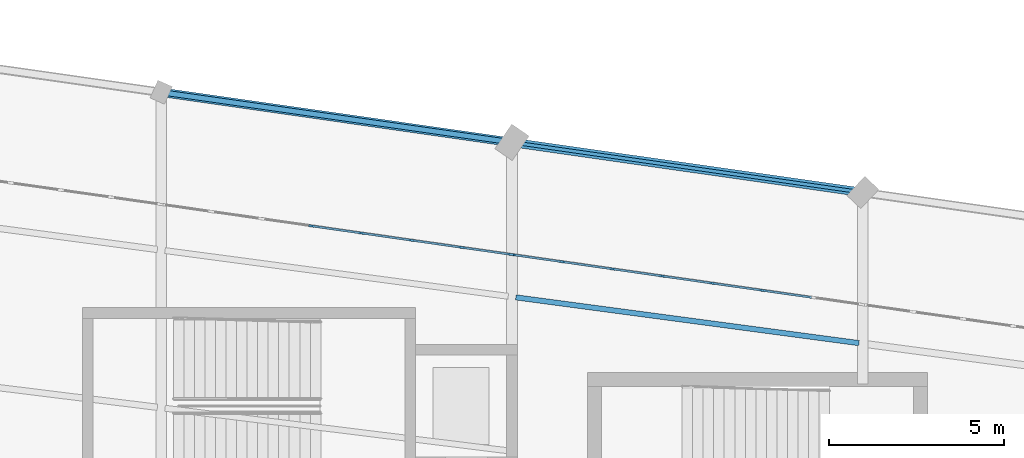
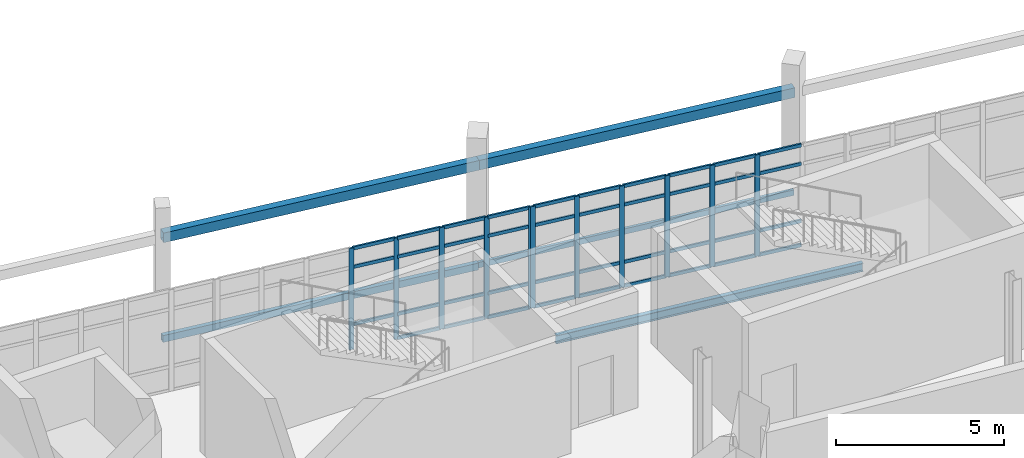
# One storey, part 61 of 122: 50 members, 5 beams, 2 elements without a shape of their own.
"""IFC4 building model written with IfcOpenShell, lengths in metres."""

from ifc_helpers import new_model, si_unit, direction, frame, origin, origin_2d, place, context, subcontext, project, spatial, rectangle, hollow_rectangle, i_section, extrude, material, layer, layer_set, material_profile, profile_set, type_object, element, aggregate, save


model = new_model("IFC4")

# Units and contexts
model_context = context("Model", 3, precision=1e-05, world=origin(), true_north=direction((0.0, 1.0)))
body_context = subcontext(model_context, "Body", "Model", "MODEL_VIEW")
ifc_project = project(units=[si_unit("LENGTHUNIT", "METRE"), si_unit("AREAUNIT", "SQUARE_METRE"), si_unit("VOLUMEUNIT", "CUBIC_METRE"), si_unit("PLANEANGLEUNIT", "RADIAN"), si_unit("MASSUNIT", "GRAM", prefix="KILO")], contexts=[model_context])

# Site, building, storey
site_placement = place(None, origin())
site = spatial("IfcSite", under=ifc_project, at=site_placement, CompositionType="ELEMENT")
building_placement = place(site_placement, origin())
building = spatial("IfcBuilding", under=site, at=building_placement, Name="Sohan Crest Arena", CompositionType="ELEMENT")
storey_placement = place(building_placement, origin())
storey = spatial("IfcBuildingStorey", under=building, at=storey_placement, Name="L00", CompositionType="ELEMENT", Elevation=0.0)

# Curtain wall, members
ifc_material_1 = material(Name="Thermally broken anodised aluminium", Category="aluminium")
ifc_layer = layer(ifc_material_1, 0.179931640625, Name="Thermally broken anodised aluminium")
ifc_layer_set = layer_set([ifc_layer], Name="Thermally broken anodised aluminium")
curtain_wall_type = type_object("IfcCurtainWallType", Name="ARC-CW01", PredefinedType="NOTDEFINED", material=ifc_layer_set)
curtain_wall_1_placement = place(storey_placement, origin())
curtain_wall_1 = element("IfcCurtainWall", 1, at=curtain_wall_1_placement, inside=storey, type_object=curtain_wall_type, Name="Unitised curtain wall CW-017", PredefinedType="NOTDEFINED")
ifc_material_profile_1 = material_profile(ifc_material_1, rectangle(XDim=0.06005859375, YDim=0.159912109375, at=origin_2d()), Name="ALU-MULL 60x160")
ifc_profile_set_1 = profile_set([ifc_material_profile_1], Name="Thermally broken anodised aluminium")
member_type_1 = type_object("IfcMemberType", Name="ARC-CW-ML01", PredefinedType="MULLION", material=ifc_profile_set_1)
member_1_placement = place(storey_placement, frame((135.142822265625, 117.493896484375, 0.0), z_axis=(0.0, 0.0, 1.0), x_axis=(-0.141365918403, -0.989957411768, 0.0)))
member_1 = element("IfcMember", 2, at=member_1_placement, type_object=member_type_1, Name="CW-017 mullion 3", PredefinedType="MULLION", context=body_context, shape_type="SweptSolid", body=[
    extrude(rectangle(XDim=0.06005859375, YDim=0.159912109375, at=origin_2d()), origin(), (0.0, 0.0, 1.0), 3.679931640625),
])
member_2_placement = place(storey_placement, frame((133.71435546875, 117.697998046875, 0.0), z_axis=(0.0, 0.0, 1.0), x_axis=(-0.141365918403, -0.989957411768, 0.0)))
member_2 = element("IfcMember", 3, at=member_2_placement, type_object=member_type_1, Name="CW-017 mullion 4", PredefinedType="MULLION", context=body_context, shape_type="SweptSolid", body=[
    extrude(rectangle(XDim=0.06005859375, YDim=0.159912109375, at=origin_2d()), origin(), (0.0, 0.0, 1.0), 3.679931640625),
])
member_3_placement = place(storey_placement, frame((132.28564453125, 117.902099609375, 0.0), z_axis=(0.0, 0.0, 1.0), x_axis=(-0.141365918403, -0.989957411768, 0.0)))
member_3 = element("IfcMember", 4, at=member_3_placement, type_object=member_type_1, Name="CW-017 mullion 5", PredefinedType="MULLION", context=body_context, shape_type="SweptSolid", body=[
    extrude(rectangle(XDim=0.06005859375, YDim=0.159912109375, at=origin_2d()), origin(), (0.0, 0.0, 1.0), 3.679931640625),
])
member_4_placement = place(storey_placement, frame((130.857177734375, 118.10595703125, 0.0), z_axis=(0.0, 0.0, 1.0), x_axis=(-0.141365918403, -0.989957411768, 0.0)))
member_4 = element("IfcMember", 5, at=member_4_placement, type_object=member_type_1, Name="CW-017 mullion 6", PredefinedType="MULLION", context=body_context, shape_type="SweptSolid", body=[
    extrude(rectangle(XDim=0.06005859375, YDim=0.159912109375, at=origin_2d()), origin(), (0.0, 0.0, 1.0), 3.679931640625),
])
member_5_placement = place(storey_placement, frame((129.428466796875, 118.31005859375, 0.0), z_axis=(0.0, 0.0, 1.0), x_axis=(-0.141365918403, -0.989957411768, 0.0)))
member_5 = element("IfcMember", 6, at=member_5_placement, type_object=member_type_1, Name="CW-017 mullion 7", PredefinedType="MULLION", context=body_context, shape_type="SweptSolid", body=[
    extrude(rectangle(XDim=0.06005859375, YDim=0.159912109375, at=origin_2d()), origin(), (0.0, 0.0, 1.0), 3.679931640625),
])
member_6_placement = place(storey_placement, frame((128.02978515625, 118.509765625, 0.0), z_axis=(0.0, 0.0, 1.0), x_axis=(-0.141365918403, -0.989957411768, 0.0)))
member_6 = element("IfcMember", 7, at=member_6_placement, type_object=member_type_1, Name="CW-017 mullion 8", PredefinedType="MULLION", context=body_context, shape_type="SweptSolid", body=[
    extrude(rectangle(XDim=0.06005859375, YDim=0.159912109375, at=origin_2d()), origin(), (0.0, 0.0, 1.0), 3.679931640625),
])

curtain_wall_2_placement = place(storey_placement, origin())
curtain_wall_2 = element("IfcCurtainWall", 8, at=curtain_wall_2_placement, inside=storey, type_object=curtain_wall_type, Name="Unitised curtain wall CW-018", PredefinedType="NOTDEFINED")
member_7_placement = place(storey_placement, frame((127.97021484375, 118.518310546875, 0.0), z_axis=(0.0, 0.0, 1.0), x_axis=(-0.141462933734, -0.989943553128, 0.0)))
member_7 = element("IfcMember", 9, at=member_7_placement, type_object=member_type_1, Name="CW-018 mullion 1", PredefinedType="MULLION", context=body_context, shape_type="SweptSolid", body=[
    extrude(rectangle(XDim=0.06005859375, YDim=0.159912109375, at=origin_2d()), origin(), (0.0, 0.0, 1.0), 3.679931640625),
])
member_8_placement = place(storey_placement, frame((126.571533203125, 118.71826171875, 0.0), z_axis=(0.0, 0.0, 1.0), x_axis=(-0.141462933734, -0.989943553128, 0.0)))
member_8 = element("IfcMember", 10, at=member_8_placement, type_object=member_type_1, Name="CW-018 mullion 2", PredefinedType="MULLION", context=body_context, shape_type="SweptSolid", body=[
    extrude(rectangle(XDim=0.06005859375, YDim=0.159912109375, at=origin_2d()), origin(), (0.0, 0.0, 1.0), 3.679931640625),
])
member_9_placement = place(storey_placement, frame((125.142822265625, 118.92236328125, 0.0), z_axis=(0.0, 0.0, 1.0), x_axis=(-0.141462933734, -0.989943553128, 0.0)))
member_9 = element("IfcMember", 11, at=member_9_placement, type_object=member_type_1, Name="CW-018 mullion 3", PredefinedType="MULLION", context=body_context, shape_type="SweptSolid", body=[
    extrude(rectangle(XDim=0.06005859375, YDim=0.159912109375, at=origin_2d()), origin(), (0.0, 0.0, 1.0), 3.679931640625),
])
member_10_placement = place(storey_placement, frame((123.71435546875, 119.12646484375, 0.0), z_axis=(0.0, 0.0, 1.0), x_axis=(-0.141462933734, -0.989943553128, 0.0)))
member_10 = element("IfcMember", 12, at=member_10_placement, type_object=member_type_1, Name="CW-018 mullion 4", PredefinedType="MULLION", context=body_context, shape_type="SweptSolid", body=[
    extrude(rectangle(XDim=0.06005859375, YDim=0.159912109375, at=origin_2d()), origin(), (0.0, 0.0, 1.0), 3.679931640625),
])
member_11_placement = place(storey_placement, frame((122.28564453125, 119.33056640625, 0.0), z_axis=(0.0, 0.0, 1.0), x_axis=(-0.141462933734, -0.989943553128, 0.0)))
member_11 = element("IfcMember", 13, at=member_11_placement, type_object=member_type_1, Name="CW-018 mullion 5", PredefinedType="MULLION", context=body_context, shape_type="SweptSolid", body=[
    extrude(rectangle(XDim=0.06005859375, YDim=0.159912109375, at=origin_2d()), origin(), (0.0, 0.0, 1.0), 3.679931640625),
])

# Member
ifc_material_profile_2 = material_profile(ifc_material_1, rectangle(XDim=0.06005859375, YDim=0.1201171875, at=origin_2d()), Name="ALU-TRAN 60x120")
ifc_profile_set_2 = profile_set([ifc_material_profile_2], Name="Thermally broken anodised aluminium")
member_type_2 = type_object("IfcMemberType", Name="ARC-CW-TR01", PredefinedType="USERDEFINED", material=ifc_profile_set_2)
member_12_placement = place(storey_placement, frame((136.541748046875, 117.294189453125, 0.030029296875), z_axis=(-0.989953023856, 0.141396642673, 0.0), x_axis=(-0.141396642673, -0.989953023856, 0.0)))
member_12 = element("IfcMember", 14, at=member_12_placement, type_object=member_type_2, Name="CW-017 transom 2.1", ObjectType="TRANSOM", PredefinedType="USERDEFINED", context=body_context, shape_type="SweptSolid", body=[
    extrude(rectangle(XDim=0.06005859375, YDim=0.1201171875, at=origin_2d()), origin(), (0.0, 0.0, 1.0), 1.383056640625),
])

member_13_placement = place(storey_placement, frame((136.541748046875, 117.294189453125, 0.89990234375), z_axis=(-0.989953023856, 0.141396642673, 0.0), x_axis=(-0.141396642673, -0.989953023856, 0.0)))
member_13 = element("IfcMember", 15, at=member_13_placement, type_object=member_type_2, Name="CW-017 transom 2.2", ObjectType="TRANSOM", PredefinedType="USERDEFINED", context=body_context, shape_type="SweptSolid", body=[
    extrude(rectangle(XDim=0.06005859375, YDim=0.1201171875, at=origin_2d()), origin(), (0.0, 0.0, 1.0), 1.383056640625),
])

member_14_placement = place(storey_placement, frame((136.541748046875, 117.294189453125, 2.97998046875), z_axis=(-0.989953023856, 0.141396642673, 0.0), x_axis=(-0.141396642673, -0.989953023856, 0.0)))
member_14 = element("IfcMember", 16, at=member_14_placement, type_object=member_type_2, Name="CW-017 transom 2.3", ObjectType="TRANSOM", PredefinedType="USERDEFINED", context=body_context, shape_type="SweptSolid", body=[
    extrude(rectangle(XDim=0.06005859375, YDim=0.1201171875, at=origin_2d()), origin(), (0.0, 0.0, 1.0), 1.383056640625),
])

member_15_placement = place(storey_placement, frame((136.541748046875, 117.294189453125, 3.64990234375), z_axis=(-0.989953023856, 0.141396642673, 0.0), x_axis=(-0.141396642673, -0.989953023856, 0.0)))
member_15 = element("IfcMember", 17, at=member_15_placement, type_object=member_type_2, Name="CW-017 transom 2.4", ObjectType="TRANSOM", PredefinedType="USERDEFINED", context=body_context, shape_type="SweptSolid", body=[
    extrude(rectangle(XDim=0.06005859375, YDim=0.1201171875, at=origin_2d()), origin(), (0.0, 0.0, 1.0), 1.383056640625),
])

member_16_placement = place(storey_placement, frame((135.113037109375, 117.498291015625, 0.030029296875), z_axis=(-0.989953023856, 0.141396642673, 0.0), x_axis=(-0.141396642673, -0.989953023856, 0.0)))
member_16 = element("IfcMember", 18, at=member_16_placement, type_object=member_type_2, Name="CW-017 transom 3.1", ObjectType="TRANSOM", PredefinedType="USERDEFINED", context=body_context, shape_type="SweptSolid", body=[
    extrude(rectangle(XDim=0.06005859375, YDim=0.1201171875, at=origin_2d()), origin(), (0.0, 0.0, 1.0), 1.383056640625),
])

member_17_placement = place(storey_placement, frame((135.113037109375, 117.498291015625, 0.89990234375), z_axis=(-0.989953023856, 0.141396642673, 0.0), x_axis=(-0.141396642673, -0.989953023856, 0.0)))
member_17 = element("IfcMember", 19, at=member_17_placement, type_object=member_type_2, Name="CW-017 transom 3.2", ObjectType="TRANSOM", PredefinedType="USERDEFINED", context=body_context, shape_type="SweptSolid", body=[
    extrude(rectangle(XDim=0.06005859375, YDim=0.1201171875, at=origin_2d()), origin(), (0.0, 0.0, 1.0), 1.383056640625),
])

member_18_placement = place(storey_placement, frame((135.113037109375, 117.498291015625, 2.97998046875), z_axis=(-0.989953023856, 0.141396642673, 0.0), x_axis=(-0.141396642673, -0.989953023856, 0.0)))
member_18 = element("IfcMember", 20, at=member_18_placement, type_object=member_type_2, Name="CW-017 transom 3.3", ObjectType="TRANSOM", PredefinedType="USERDEFINED", context=body_context, shape_type="SweptSolid", body=[
    extrude(rectangle(XDim=0.06005859375, YDim=0.1201171875, at=origin_2d()), origin(), (0.0, 0.0, 1.0), 1.383056640625),
])

member_19_placement = place(storey_placement, frame((135.113037109375, 117.498291015625, 3.64990234375), z_axis=(-0.989953023856, 0.141396642673, 0.0), x_axis=(-0.141396642673, -0.989953023856, 0.0)))
member_19 = element("IfcMember", 21, at=member_19_placement, type_object=member_type_2, Name="CW-017 transom 3.4", ObjectType="TRANSOM", PredefinedType="USERDEFINED", context=body_context, shape_type="SweptSolid", body=[
    extrude(rectangle(XDim=0.06005859375, YDim=0.1201171875, at=origin_2d()), origin(), (0.0, 0.0, 1.0), 1.383056640625),
])

member_20_placement = place(storey_placement, frame((133.6845703125, 117.7021484375, 0.030029296875), z_axis=(-0.989953023856, 0.141396642673, 0.0), x_axis=(-0.141396642673, -0.989953023856, 0.0)))
member_20 = element("IfcMember", 22, at=member_20_placement, type_object=member_type_2, Name="CW-017 transom 4.1", ObjectType="TRANSOM", PredefinedType="USERDEFINED", context=body_context, shape_type="SweptSolid", body=[
    extrude(rectangle(XDim=0.06005859375, YDim=0.1201171875, at=origin_2d()), origin(), (0.0, 0.0, 1.0), 1.383056640625),
])

member_21_placement = place(storey_placement, frame((133.6845703125, 117.7021484375, 0.89990234375), z_axis=(-0.989953023856, 0.141396642673, 0.0), x_axis=(-0.141396642673, -0.989953023856, 0.0)))
member_21 = element("IfcMember", 23, at=member_21_placement, type_object=member_type_2, Name="CW-017 transom 4.2", ObjectType="TRANSOM", PredefinedType="USERDEFINED", context=body_context, shape_type="SweptSolid", body=[
    extrude(rectangle(XDim=0.06005859375, YDim=0.1201171875, at=origin_2d()), origin(), (0.0, 0.0, 1.0), 1.383056640625),
])

member_22_placement = place(storey_placement, frame((133.6845703125, 117.7021484375, 2.97998046875), z_axis=(-0.989953023856, 0.141396642673, 0.0), x_axis=(-0.141396642673, -0.989953023856, 0.0)))
member_22 = element("IfcMember", 24, at=member_22_placement, type_object=member_type_2, Name="CW-017 transom 4.3", ObjectType="TRANSOM", PredefinedType="USERDEFINED", context=body_context, shape_type="SweptSolid", body=[
    extrude(rectangle(XDim=0.06005859375, YDim=0.1201171875, at=origin_2d()), origin(), (0.0, 0.0, 1.0), 1.383056640625),
])

member_23_placement = place(storey_placement, frame((133.6845703125, 117.7021484375, 3.64990234375), z_axis=(-0.989953023856, 0.141396642673, 0.0), x_axis=(-0.141396642673, -0.989953023856, 0.0)))
member_23 = element("IfcMember", 25, at=member_23_placement, type_object=member_type_2, Name="CW-017 transom 4.4", ObjectType="TRANSOM", PredefinedType="USERDEFINED", context=body_context, shape_type="SweptSolid", body=[
    extrude(rectangle(XDim=0.06005859375, YDim=0.1201171875, at=origin_2d()), origin(), (0.0, 0.0, 1.0), 1.383056640625),
])

member_24_placement = place(storey_placement, frame((132.256103515625, 117.90625, 0.030029296875), z_axis=(-0.989953023856, 0.141396642673, 0.0), x_axis=(-0.141396642673, -0.989953023856, 0.0)))
member_24 = element("IfcMember", 26, at=member_24_placement, type_object=member_type_2, Name="CW-017 transom 5.1", ObjectType="TRANSOM", PredefinedType="USERDEFINED", context=body_context, shape_type="SweptSolid", body=[
    extrude(rectangle(XDim=0.06005859375, YDim=0.1201171875, at=origin_2d()), origin(), (0.0, 0.0, 1.0), 1.383056640625),
])

member_25_placement = place(storey_placement, frame((132.256103515625, 117.90625, 0.89990234375), z_axis=(-0.989953023856, 0.141396642673, 0.0), x_axis=(-0.141396642673, -0.989953023856, 0.0)))
member_25 = element("IfcMember", 27, at=member_25_placement, type_object=member_type_2, Name="CW-017 transom 5.2", ObjectType="TRANSOM", PredefinedType="USERDEFINED", context=body_context, shape_type="SweptSolid", body=[
    extrude(rectangle(XDim=0.06005859375, YDim=0.1201171875, at=origin_2d()), origin(), (0.0, 0.0, 1.0), 1.383056640625),
])

member_26_placement = place(storey_placement, frame((132.256103515625, 117.90625, 2.97998046875), z_axis=(-0.989953023856, 0.141396642673, 0.0), x_axis=(-0.141396642673, -0.989953023856, 0.0)))
member_26 = element("IfcMember", 28, at=member_26_placement, type_object=member_type_2, Name="CW-017 transom 5.3", ObjectType="TRANSOM", PredefinedType="USERDEFINED", context=body_context, shape_type="SweptSolid", body=[
    extrude(rectangle(XDim=0.06005859375, YDim=0.1201171875, at=origin_2d()), origin(), (0.0, 0.0, 1.0), 1.383056640625),
])

member_27_placement = place(storey_placement, frame((132.256103515625, 117.90625, 3.64990234375), z_axis=(-0.989953023856, 0.141396642673, 0.0), x_axis=(-0.141396642673, -0.989953023856, 0.0)))
member_27 = element("IfcMember", 29, at=member_27_placement, type_object=member_type_2, Name="CW-017 transom 5.4", ObjectType="TRANSOM", PredefinedType="USERDEFINED", context=body_context, shape_type="SweptSolid", body=[
    extrude(rectangle(XDim=0.06005859375, YDim=0.1201171875, at=origin_2d()), origin(), (0.0, 0.0, 1.0), 1.383056640625),
])

member_28_placement = place(storey_placement, frame((130.827392578125, 118.1103515625, 0.030029296875), z_axis=(-0.989977718646, 0.14122364032, 0.0), x_axis=(-0.14122364032, -0.989977718646, 0.0)))
member_28 = element("IfcMember", 30, at=member_28_placement, type_object=member_type_2, Name="CW-017 transom 6.1", ObjectType="TRANSOM", PredefinedType="USERDEFINED", context=body_context, shape_type="SweptSolid", body=[
    extrude(rectangle(XDim=0.06005859375, YDim=0.1201171875, at=origin_2d()), origin(), (0.0, 0.0, 1.0), 1.383056640625),
])

member_29_placement = place(storey_placement, frame((130.827392578125, 118.1103515625, 0.89990234375), z_axis=(-0.989977718646, 0.14122364032, 0.0), x_axis=(-0.14122364032, -0.989977718646, 0.0)))
member_29 = element("IfcMember", 31, at=member_29_placement, type_object=member_type_2, Name="CW-017 transom 6.2", ObjectType="TRANSOM", PredefinedType="USERDEFINED", context=body_context, shape_type="SweptSolid", body=[
    extrude(rectangle(XDim=0.06005859375, YDim=0.1201171875, at=origin_2d()), origin(), (0.0, 0.0, 1.0), 1.383056640625),
])

member_30_placement = place(storey_placement, frame((130.827392578125, 118.1103515625, 2.97998046875), z_axis=(-0.989977718646, 0.14122364032, 0.0), x_axis=(-0.14122364032, -0.989977718646, 0.0)))
member_30 = element("IfcMember", 32, at=member_30_placement, type_object=member_type_2, Name="CW-017 transom 6.3", ObjectType="TRANSOM", PredefinedType="USERDEFINED", context=body_context, shape_type="SweptSolid", body=[
    extrude(rectangle(XDim=0.06005859375, YDim=0.1201171875, at=origin_2d()), origin(), (0.0, 0.0, 1.0), 1.383056640625),
])

member_31_placement = place(storey_placement, frame((130.827392578125, 118.1103515625, 3.64990234375), z_axis=(-0.989977718646, 0.14122364032, 0.0), x_axis=(-0.14122364032, -0.989977718646, 0.0)))
member_31 = element("IfcMember", 33, at=member_31_placement, type_object=member_type_2, Name="CW-017 transom 6.4", ObjectType="TRANSOM", PredefinedType="USERDEFINED", context=body_context, shape_type="SweptSolid", body=[
    extrude(rectangle(XDim=0.06005859375, YDim=0.1201171875, at=origin_2d()), origin(), (0.0, 0.0, 1.0), 1.383056640625),
])

member_32_placement = place(storey_placement, frame((129.39892578125, 118.314208984375, 0.030029296875), z_axis=(-0.989945885007, 0.141446614515, 0.0), x_axis=(-0.141446614515, -0.989945885007, 0.0)))
member_32 = element("IfcMember", 34, at=member_32_placement, type_object=member_type_2, Name="CW-017 transom 7.1", ObjectType="TRANSOM", PredefinedType="USERDEFINED", context=body_context, shape_type="SweptSolid", body=[
    extrude(rectangle(XDim=0.06005859375, YDim=0.1201171875, at=origin_2d()), origin(), (0.0, 0.0, 1.0), 1.353271484375),
])

member_33_placement = place(storey_placement, frame((129.39892578125, 118.314208984375, 0.89990234375), z_axis=(-0.989945885007, 0.141446614515, 0.0), x_axis=(-0.141446614515, -0.989945885007, 0.0)))
member_33 = element("IfcMember", 35, at=member_33_placement, type_object=member_type_2, Name="CW-017 transom 7.2", ObjectType="TRANSOM", PredefinedType="USERDEFINED", context=body_context, shape_type="SweptSolid", body=[
    extrude(rectangle(XDim=0.06005859375, YDim=0.1201171875, at=origin_2d()), origin(), (0.0, 0.0, 1.0), 1.353271484375),
])

member_34_placement = place(storey_placement, frame((129.39892578125, 118.314208984375, 2.97998046875), z_axis=(-0.989945885007, 0.141446614515, 0.0), x_axis=(-0.141446614515, -0.989945885007, 0.0)))
member_34 = element("IfcMember", 36, at=member_34_placement, type_object=member_type_2, Name="CW-017 transom 7.3", ObjectType="TRANSOM", PredefinedType="USERDEFINED", context=body_context, shape_type="SweptSolid", body=[
    extrude(rectangle(XDim=0.06005859375, YDim=0.1201171875, at=origin_2d()), origin(), (0.0, 0.0, 1.0), 1.353271484375),
])

member_35_placement = place(storey_placement, frame((129.39892578125, 118.314208984375, 3.64990234375), z_axis=(-0.989945885007, 0.141446614515, 0.0), x_axis=(-0.141446614515, -0.989945885007, 0.0)))
member_35 = element("IfcMember", 37, at=member_35_placement, type_object=member_type_2, Name="CW-017 transom 7.4", ObjectType="TRANSOM", PredefinedType="USERDEFINED", context=body_context, shape_type="SweptSolid", body=[
    extrude(rectangle(XDim=0.06005859375, YDim=0.1201171875, at=origin_2d()), origin(), (0.0, 0.0, 1.0), 1.353271484375),
])

aggregate(curtain_wall_1, [member_1, member_2, member_3, member_4, member_5, member_6, member_12, member_13, member_14, member_15, member_16, member_17, member_18, member_19, member_20, member_21, member_22, member_23, member_24, member_25, member_26, member_27, member_28, member_29, member_30, member_31, member_32, member_33, member_34, member_35])

member_36_placement = place(storey_placement, frame((127.940673828125, 118.5224609375, 0.030029296875), z_axis=(-0.989945885007, 0.141446614515, 0.0), x_axis=(-0.141446614515, -0.989945885007, 0.0)))
member_36 = element("IfcMember", 38, at=member_36_placement, type_object=member_type_2, Name="CW-018 transom 1.1", ObjectType="TRANSOM", PredefinedType="USERDEFINED", context=body_context, shape_type="SweptSolid", body=[
    extrude(rectangle(XDim=0.06005859375, YDim=0.1201171875, at=origin_2d()), origin(), (0.0, 0.0, 1.0), 1.353271484375),
])

member_37_placement = place(storey_placement, frame((127.940673828125, 118.5224609375, 0.89990234375), z_axis=(-0.989945885007, 0.141446614515, 0.0), x_axis=(-0.141446614515, -0.989945885007, 0.0)))
member_37 = element("IfcMember", 39, at=member_37_placement, type_object=member_type_2, Name="CW-018 transom 1.2", ObjectType="TRANSOM", PredefinedType="USERDEFINED", context=body_context, shape_type="SweptSolid", body=[
    extrude(rectangle(XDim=0.06005859375, YDim=0.1201171875, at=origin_2d()), origin(), (0.0, 0.0, 1.0), 1.353271484375),
])

member_38_placement = place(storey_placement, frame((127.940673828125, 118.5224609375, 2.97998046875), z_axis=(-0.989945885007, 0.141446614515, 0.0), x_axis=(-0.141446614515, -0.989945885007, 0.0)))
member_38 = element("IfcMember", 40, at=member_38_placement, type_object=member_type_2, Name="CW-018 transom 1.3", ObjectType="TRANSOM", PredefinedType="USERDEFINED", context=body_context, shape_type="SweptSolid", body=[
    extrude(rectangle(XDim=0.06005859375, YDim=0.1201171875, at=origin_2d()), origin(), (0.0, 0.0, 1.0), 1.353271484375),
])

member_39_placement = place(storey_placement, frame((127.940673828125, 118.5224609375, 3.64990234375), z_axis=(-0.989945885007, 0.141446614515, 0.0), x_axis=(-0.141446614515, -0.989945885007, 0.0)))
member_39 = element("IfcMember", 41, at=member_39_placement, type_object=member_type_2, Name="CW-018 transom 1.4", ObjectType="TRANSOM", PredefinedType="USERDEFINED", context=body_context, shape_type="SweptSolid", body=[
    extrude(rectangle(XDim=0.06005859375, YDim=0.1201171875, at=origin_2d()), origin(), (0.0, 0.0, 1.0), 1.353271484375),
])

member_40_placement = place(storey_placement, frame((126.541748046875, 118.722412109375, 0.030029296875), z_axis=(-0.989953023856, 0.141396642673, 0.0), x_axis=(-0.141396642673, -0.989953023856, 0.0)))
member_40 = element("IfcMember", 42, at=member_40_placement, type_object=member_type_2, Name="CW-018 transom 2.1", ObjectType="TRANSOM", PredefinedType="USERDEFINED", context=body_context, shape_type="SweptSolid", body=[
    extrude(rectangle(XDim=0.06005859375, YDim=0.1201171875, at=origin_2d()), origin(), (0.0, 0.0, 1.0), 1.383056640625),
])

member_41_placement = place(storey_placement, frame((126.541748046875, 118.722412109375, 0.89990234375), z_axis=(-0.989953023856, 0.141396642673, 0.0), x_axis=(-0.141396642673, -0.989953023856, 0.0)))
member_41 = element("IfcMember", 43, at=member_41_placement, type_object=member_type_2, Name="CW-018 transom 2.2", ObjectType="TRANSOM", PredefinedType="USERDEFINED", context=body_context, shape_type="SweptSolid", body=[
    extrude(rectangle(XDim=0.06005859375, YDim=0.1201171875, at=origin_2d()), origin(), (0.0, 0.0, 1.0), 1.383056640625),
])

member_42_placement = place(storey_placement, frame((126.541748046875, 118.722412109375, 2.97998046875), z_axis=(-0.989953023856, 0.141396642673, 0.0), x_axis=(-0.141396642673, -0.989953023856, 0.0)))
member_42 = element("IfcMember", 44, at=member_42_placement, type_object=member_type_2, Name="CW-018 transom 2.3", ObjectType="TRANSOM", PredefinedType="USERDEFINED", context=body_context, shape_type="SweptSolid", body=[
    extrude(rectangle(XDim=0.06005859375, YDim=0.1201171875, at=origin_2d()), origin(), (0.0, 0.0, 1.0), 1.383056640625),
])

member_43_placement = place(storey_placement, frame((126.541748046875, 118.722412109375, 3.64990234375), z_axis=(-0.989953023856, 0.141396642673, 0.0), x_axis=(-0.141396642673, -0.989953023856, 0.0)))
member_43 = element("IfcMember", 45, at=member_43_placement, type_object=member_type_2, Name="CW-018 transom 2.4", ObjectType="TRANSOM", PredefinedType="USERDEFINED", context=body_context, shape_type="SweptSolid", body=[
    extrude(rectangle(XDim=0.06005859375, YDim=0.1201171875, at=origin_2d()), origin(), (0.0, 0.0, 1.0), 1.383056640625),
])

member_44_placement = place(storey_placement, frame((125.113037109375, 118.926513671875, 0.030029296875), z_axis=(-0.989953023856, 0.141396642673, 0.0), x_axis=(-0.141396642673, -0.989953023856, 0.0)))
member_44 = element("IfcMember", 46, at=member_44_placement, type_object=member_type_2, Name="CW-018 transom 3.1", ObjectType="TRANSOM", PredefinedType="USERDEFINED", context=body_context, shape_type="SweptSolid", body=[
    extrude(rectangle(XDim=0.06005859375, YDim=0.1201171875, at=origin_2d()), origin(), (0.0, 0.0, 1.0), 1.383056640625),
])

member_45_placement = place(storey_placement, frame((125.113037109375, 118.926513671875, 0.89990234375), z_axis=(-0.989953023856, 0.141396642673, 0.0), x_axis=(-0.141396642673, -0.989953023856, 0.0)))
member_45 = element("IfcMember", 47, at=member_45_placement, type_object=member_type_2, Name="CW-018 transom 3.2", ObjectType="TRANSOM", PredefinedType="USERDEFINED", context=body_context, shape_type="SweptSolid", body=[
    extrude(rectangle(XDim=0.06005859375, YDim=0.1201171875, at=origin_2d()), origin(), (0.0, 0.0, 1.0), 1.383056640625),
])

member_46_placement = place(storey_placement, frame((125.113037109375, 118.926513671875, 2.97998046875), z_axis=(-0.989953023856, 0.141396642673, 0.0), x_axis=(-0.141396642673, -0.989953023856, 0.0)))
member_46 = element("IfcMember", 48, at=member_46_placement, type_object=member_type_2, Name="CW-018 transom 3.3", ObjectType="TRANSOM", PredefinedType="USERDEFINED", context=body_context, shape_type="SweptSolid", body=[
    extrude(rectangle(XDim=0.06005859375, YDim=0.1201171875, at=origin_2d()), origin(), (0.0, 0.0, 1.0), 1.383056640625),
])

member_47_placement = place(storey_placement, frame((125.113037109375, 118.926513671875, 3.64990234375), z_axis=(-0.989953023856, 0.141396642673, 0.0), x_axis=(-0.141396642673, -0.989953023856, 0.0)))
member_47 = element("IfcMember", 49, at=member_47_placement, type_object=member_type_2, Name="CW-018 transom 3.4", ObjectType="TRANSOM", PredefinedType="USERDEFINED", context=body_context, shape_type="SweptSolid", body=[
    extrude(rectangle(XDim=0.06005859375, YDim=0.1201171875, at=origin_2d()), origin(), (0.0, 0.0, 1.0), 1.383056640625),
])

member_48_placement = place(storey_placement, frame((123.6845703125, 119.130615234375, 0.89990234375), z_axis=(-0.989928300068, 0.141569632071, 0.0), x_axis=(-0.141569632071, -0.989928300068, 0.0)))
member_48 = element("IfcMember", 50, at=member_48_placement, type_object=member_type_2, Name="CW-018 transom 4.2", ObjectType="TRANSOM", PredefinedType="USERDEFINED", context=body_context, shape_type="SweptSolid", body=[
    extrude(rectangle(XDim=0.06005859375, YDim=0.1201171875, at=origin_2d()), origin(), (0.0, 0.0, 1.0), 1.383056640625),
])

member_49_placement = place(storey_placement, frame((123.6845703125, 119.130615234375, 2.97998046875), z_axis=(-0.989928300068, 0.141569632071, 0.0), x_axis=(-0.141569632071, -0.989928300068, 0.0)))
member_49 = element("IfcMember", 51, at=member_49_placement, type_object=member_type_2, Name="CW-018 transom 4.3", ObjectType="TRANSOM", PredefinedType="USERDEFINED", context=body_context, shape_type="SweptSolid", body=[
    extrude(rectangle(XDim=0.06005859375, YDim=0.1201171875, at=origin_2d()), origin(), (0.0, 0.0, 1.0), 1.383056640625),
])

member_50_placement = place(storey_placement, frame((123.6845703125, 119.130615234375, 3.64990234375), z_axis=(-0.989928300068, 0.141569632071, 0.0), x_axis=(-0.141569632071, -0.989928300068, 0.0)))
member_50 = element("IfcMember", 52, at=member_50_placement, type_object=member_type_2, Name="CW-018 transom 4.4", ObjectType="TRANSOM", PredefinedType="USERDEFINED", context=body_context, shape_type="SweptSolid", body=[
    extrude(rectangle(XDim=0.06005859375, YDim=0.1201171875, at=origin_2d()), origin(), (0.0, 0.0, 1.0), 1.383056640625),
])

aggregate(curtain_wall_2, [member_7, member_8, member_9, member_10, member_11, member_36, member_37, member_38, member_39, member_40, member_41, member_42, member_43, member_44, member_45, member_46, member_47, member_48, member_49, member_50])

# Beams
ifc_material_2 = material(Name="Steel S355", Category="steel")
ifc_material_profile_3 = material_profile(ifc_material_2, i_section(OverallWidth=0.14990234375, OverallDepth=0.300048828125, WebThickness=0.007080078125, FlangeThickness=0.0107421875, at=origin_2d()), Name="IPE 300")
ifc_profile_set_3 = profile_set([ifc_material_profile_3], Name="Steel S355")
beam_type_1 = type_object("IfcBeamType", Name="STR-BM-B01", PredefinedType="JOIST", material=ifc_profile_set_3)
beam_1_placement = place(storey_placement, frame((137.89111328125, 115.991943359375, -0.425048828125), z_axis=(-0.991232437337, 0.132129690721, 0.0), x_axis=(-0.132129690721, -0.991232437337, 0.0)))
element("IfcBeam", 53, at=beam_1_placement, inside=storey, type_object=beam_type_1, Name="Structural beam J-L00-1072", PredefinedType="JOIST", context=body_context, shape_type="SweptSolid", body=[
    extrude(i_section(OverallWidth=0.14990234375, OverallDepth=0.300048828125, WebThickness=0.007080078125, FlangeThickness=0.0107421875, at=origin_2d()), origin(), (0.0, 0.0, 1.0), 9.86865234375),
])
ifc_material_profile_4 = material_profile(ifc_material_2, hollow_rectangle(XDim=0.10009765625, YDim=0.199951171875, WallThickness=0.008056640625, at=origin_2d()), Name="RHS 200x100x8")
ifc_profile_set_4 = profile_set([ifc_material_profile_4], Name="Steel S355")
beam_type_2 = type_object("IfcBeamType", Name="STR-BM-SP01", PredefinedType="SPANDREL", material=ifc_profile_set_4)
beam_2_placement = place(storey_placement, frame((138.0, 120.285888671875, -0.375), z_axis=(-0.989954326844, 0.141387519825, 0.0), x_axis=(-0.141387519825, -0.989954326844, 0.0)))
element("IfcBeam", 54, at=beam_2_placement, inside=storey, type_object=beam_type_2, Name="Structural beam SP-L00-1070", PredefinedType="SPANDREL", context=body_context, shape_type="SweptSolid", body=[
    extrude(hollow_rectangle(XDim=0.10009765625, YDim=0.199951171875, WallThickness=0.008056640625, at=origin_2d()), origin(), (0.0, 0.0, 1.0), 10.1015625),
])
ifc_material_profile_5 = material_profile(ifc_material_2, hollow_rectangle(XDim=0.14990234375, YDim=0.25, WallThickness=0.010009765625, at=origin_2d()), Name="RHS 250x150x10")
ifc_profile_set_5 = profile_set([ifc_material_profile_5], Name="Steel S355")
beam_type_3 = type_object("IfcBeamType", Name="STR-BM-SP02", PredefinedType="SPANDREL", material=ifc_profile_set_5)
beam_3_placement = place(storey_placement, frame((128.0, 121.714111328125, -0.39990234375), z_axis=(-0.989944175879, 0.141458575718, 0.0), x_axis=(-0.141458575718, -0.989944175879, 0.0)))
element("IfcBeam", 55, at=beam_3_placement, inside=storey, type_object=beam_type_3, Name="Structural beam SP-L00-1075", PredefinedType="SPANDREL", context=body_context, shape_type="SweptSolid", body=[
    extrude(hollow_rectangle(XDim=0.14990234375, YDim=0.25, WallThickness=0.010009765625, at=origin_2d()), origin(), (0.0, 0.0, 1.0), 10.1015625),
])
ifc_material_profile_6 = material_profile(ifc_material_2, hollow_rectangle(XDim=0.25, YDim=0.35009765625, WallThickness=0.012451171875, at=origin_2d()), Name="RHS 350x250x12.5")
ifc_profile_set_6 = profile_set([ifc_material_profile_6], Name="Steel S355")
beam_type_4 = type_object("IfcBeamType", Name="STR-BM-SP04", PredefinedType="SPANDREL", material=ifc_profile_set_6)
for number, where, z_axis, x_axis, name in (
    (56, (138.0, 120.285888671875, 3.300048828125), (-0.989954326844, 0.141387519825, 0.0), (-0.141387519825, -0.989954326844, 0.0), "Structural beam ARC-L00-1071"),
    (57, (128.0, 121.714111328125, 3.300048828125), (-0.989944175879, 0.141458575718, 0.0), (-0.141458575718, -0.989944175879, 0.0), "Structural beam ARC-L00-1076"),
):
    element("IfcBeam", number, at=place(storey_placement, frame(where, z_axis=z_axis, x_axis=x_axis)), inside=storey, type_object=beam_type_4, Name=name, PredefinedType="SPANDREL", context=body_context, shape_type="SweptSolid", body=[
        extrude(hollow_rectangle(XDim=0.25, YDim=0.35009765625, WallThickness=0.012451171875, at=origin_2d()), origin(), (0.0, 0.0, 1.0), 10.1015625),
    ])

save(model, "model.ifc")
